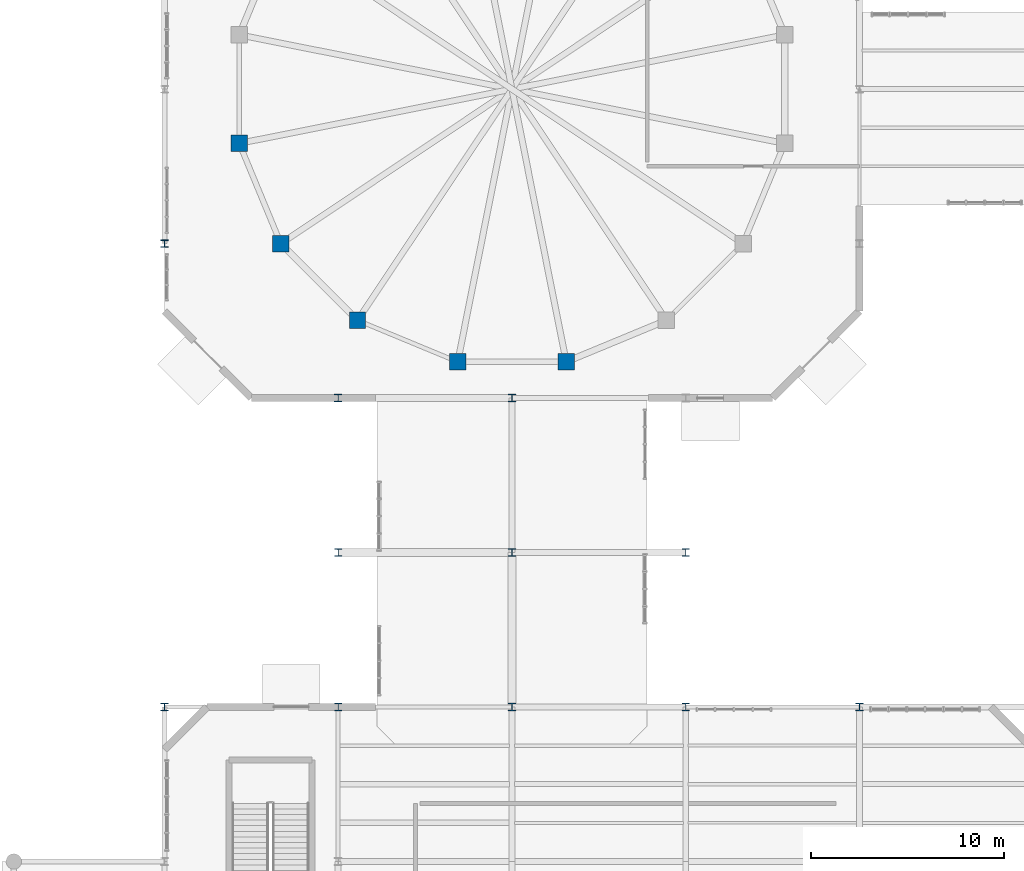
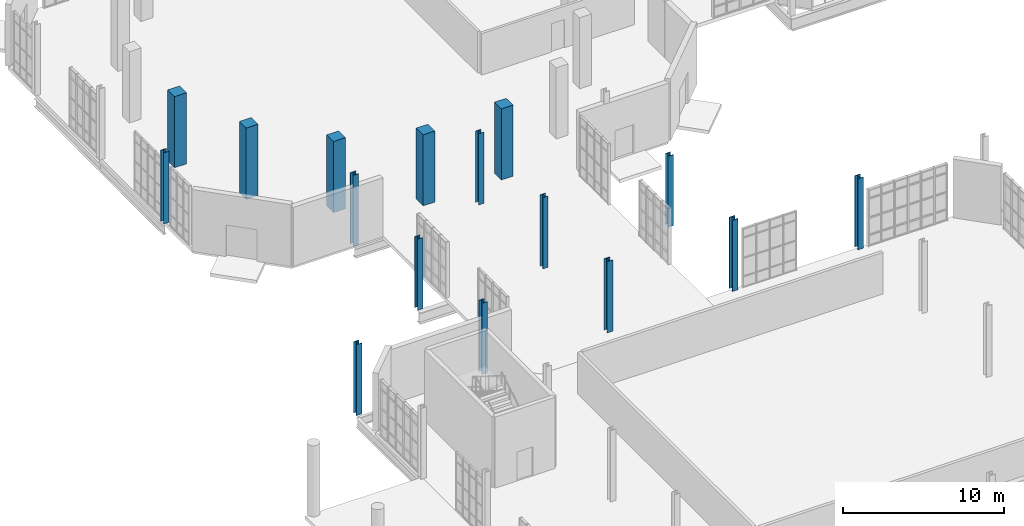
# One storey, part 3 of 189: 16 columns.
"""IFC4 building model written with IfcOpenShell, lengths in metres."""

from ifc_helpers import new_model, si_unit, direction, frame, origin, origin_2d, place, context, subcontext, project, spatial, rectangle, i_section, extrude, material, material_profile, profile_set, type_object, element, save


model = new_model("IFC4")

# Units and contexts
model_context = context("Model", 3, precision=1e-05, world=origin(), true_north=direction((0.0, 1.0)))
body_context = subcontext(model_context, "Body", "Model", "MODEL_VIEW")
ifc_project = project(units=[si_unit("LENGTHUNIT", "METRE"), si_unit("AREAUNIT", "SQUARE_METRE"), si_unit("VOLUMEUNIT", "CUBIC_METRE"), si_unit("PLANEANGLEUNIT", "RADIAN"), si_unit("MASSUNIT", "GRAM", prefix="KILO"), si_unit("THERMODYNAMICTEMPERATUREUNIT", "KELVIN"), si_unit("POWERUNIT", "WATT")], contexts=[model_context])

# Site, building, storey
site_placement = place(None, origin())
site = spatial("IfcSite", under=ifc_project, at=site_placement, CompositionType="ELEMENT")
building_placement = place(site_placement, origin())
building = spatial("IfcBuilding", under=site, at=building_placement, Name="Zelmaris Science Centre", CompositionType="ELEMENT")
storey_placement = place(building_placement, origin())
storey = spatial("IfcBuildingStorey", under=building, at=storey_placement, Name="L00", CompositionType="ELEMENT", Elevation=0.0)

# Columns
ifc_material_1 = material(Name="Steel ASTM A992 Grade 50", Category="steel")
ifc_material_profile_1 = material_profile(ifc_material_1, i_section(OverallWidth=0.406005859375, OverallDepth=0.4169921875, WebThickness=0.02978515625, FlangeThickness=0.04443359375, FilletRadius=0.014892578125, at=origin_2d()), Name="W14X257")
ifc_profile_set_1 = profile_set([ifc_material_profile_1], Name="Steel ASTM A992 Grade 50")
column_type_1 = type_object("IfcColumnType", Name="Column C-02 W14X257", PredefinedType="COLUMN", material=ifc_profile_set_1)
for number, where, z_axis, x_axis, name in (
    (1, (18.0, 40.0, 0.0), (0.0, 0.0, 1.0), (1.0, 0.0, 0.0), "Column V3-P-18-40 L00"),
    (2, (27.0, 40.0, 0.0), (0.0, 0.0, 1.0), (1.0, 0.0, 0.0), "Column V3-P-27-40 L00"),
    (3, (36.0, 40.0, 0.0), (0.0, 0.0, 1.0), (1.0, 0.0, 0.0), "Column V3-P-36-40 L00"),
    (4, (45.0, 40.0, 0.0), (0.0, 0.0, 1.0), (1.0, 0.0, 0.0), "Column V3-P-45-40 L00"),
):
    element("IfcColumn", number, at=place(storey_placement, frame(where, z_axis=z_axis, x_axis=x_axis)), inside=storey, type_object=column_type_1, Name=name, PredefinedType="COLUMN", context=body_context, shape_type="SweptSolid", body=[
        extrude(i_section(OverallWidth=0.406005859375, OverallDepth=0.4169921875, WebThickness=0.02978515625, FlangeThickness=0.04443359375, FilletRadius=0.014892578125, at=origin_2d()), origin(), (0.0, 0.0, 1.0), 5.39990234375),
    ])
ifc_material_profile_2 = material_profile(ifc_material_1, i_section(OverallWidth=0.39892578125, OverallDepth=0.385986328125, WebThickness=0.02099609375, FlangeThickness=0.033203125, FilletRadius=0.014892578125, at=origin_2d()), Name="W14X176")
ifc_profile_set_2 = profile_set([ifc_material_profile_2], Name="Steel ASTM A992 Grade 50")
column_type_2 = type_object("IfcColumnType", Name="Column C-04 W14X176", PredefinedType="COLUMN", material=ifc_profile_set_2)
column_placement = place(storey_placement, frame((9.0, 40.0, 0.0), z_axis=(0.0, 0.0, 1.0), x_axis=(1.0, 0.0, 0.0)))
element("IfcColumn", 5, at=column_placement, inside=storey, type_object=column_type_2, Name="Column V3-P-9-40 L00", PredefinedType="COLUMN", context=body_context, shape_type="SweptSolid", body=[
    extrude(i_section(OverallWidth=0.39892578125, OverallDepth=0.385986328125, WebThickness=0.02099609375, FlangeThickness=0.033203125, FilletRadius=0.014892578125, at=origin_2d()), origin(), (0.0, 0.0, 1.0), 5.39990234375),
])
ifc_material_profile_3 = material_profile(ifc_material_1, i_section(OverallWidth=0.39404296875, OverallDepth=0.3759765625, WebThickness=0.017333984375, FlangeThickness=0.027587890625, FilletRadius=0.014892578125, at=origin_2d()), Name="W14X145")
ifc_profile_set_3 = profile_set([ifc_material_profile_3], Name="Steel ASTM A992 Grade 50")
column_type_3 = type_object("IfcColumnType", Name="Column C-05 W14X145", PredefinedType="COLUMN", material=ifc_profile_set_3)
for number, where, z_axis, x_axis, name in (
    (6, (18.0, 56.0, 0.0), (0.0, 0.0, 1.0), (1.0, 0.0, 0.0), "Column V1-PC01 L00"),
    (7, (27.0, 56.0, 0.0), (0.0, 0.0, 1.0), (1.0, 0.0, 0.0), "Column V1-PC02 L00"),
    (8, (9.0, 64.0, 0.0), (0.0, 0.0, 1.0), (1.0, 0.0, 0.0), "Column V1-PC07 L00"),
):
    element("IfcColumn", number, at=place(storey_placement, frame(where, z_axis=z_axis, x_axis=x_axis)), inside=storey, type_object=column_type_3, Name=name, PredefinedType="COLUMN", context=body_context, shape_type="SweptSolid", body=[
        extrude(i_section(OverallWidth=0.39404296875, OverallDepth=0.3759765625, WebThickness=0.017333984375, FlangeThickness=0.027587890625, FilletRadius=0.014892578125, at=origin_2d()), origin(), (0.0, 0.0, 1.0), 5.39990234375),
    ])
ifc_material_profile_4 = material_profile(ifc_material_1, i_section(OverallWidth=0.373046875, OverallDepth=0.367919921875, WebThickness=0.014892578125, FlangeThickness=0.02392578125, FilletRadius=0.014892578125, at=origin_2d()), Name="W14X120")
ifc_profile_set_4 = profile_set([ifc_material_profile_4], Name="Steel ASTM A992 Grade 50")
column_type_4 = type_object("IfcColumnType", Name="Column C-06 W14X120", PredefinedType="COLUMN", material=ifc_profile_set_4)
for number, where, z_axis, x_axis, name in (
    (9, (18.0, 48.0, 0.0), (0.0, 0.0, 1.0), (1.0, 0.0, 0.0), "Column WL-C-18-48 L00"),
    (10, (27.0, 48.0, 0.0), (0.0, 0.0, 1.0), (1.0, 0.0, 0.0), "Column WL-C-27-48 L00"),
    (11, (36.0, 48.0, 0.0), (0.0, 0.0, 1.0), (1.0, 0.0, 0.0), "Column WL-C-36-48 L00"),
):
    element("IfcColumn", number, at=place(storey_placement, frame(where, z_axis=z_axis, x_axis=x_axis)), inside=storey, type_object=column_type_4, Name=name, PredefinedType="COLUMN", context=body_context, shape_type="SweptSolid", body=[
        extrude(i_section(OverallWidth=0.373046875, OverallDepth=0.367919921875, WebThickness=0.014892578125, FlangeThickness=0.02392578125, FilletRadius=0.014892578125, at=origin_2d()), origin(), (0.0, 0.0, 1.0), 5.39990234375),
    ])
ifc_material_2 = material(Name="Concrete C40/50", Category="concrete")
ifc_material_profile_5 = material_profile(ifc_material_2, rectangle(XDim=0.85009765625, YDim=0.85009765625, at=origin_2d()), Name="RC-COL-850X850")
ifc_profile_set_5 = profile_set([ifc_material_profile_5], Name="Concrete C40/50")
column_type_5 = type_object("IfcColumnType", Name="Column C-14 RC-COL-850X850", PredefinedType="COLUMN", material=ifc_profile_set_5)
for number, where, z_axis, x_axis, name in (
    (12, (12.876708984375, 69.190673828125, 0.0), (0.0, 0.0, 1.0), (1.0, 0.0, 0.0), "Column V1-DC09 L00"),
    (13, (15.02685546875, 63.999755859375, 0.0), (0.0, 0.0, 1.0), (1.0, 0.0, 0.0), "Column V1-DC10 L00"),
    (14, (18.999755859375, 60.02685546875, 0.0), (0.0, 0.0, 1.0), (1.0, 0.0, 0.0), "Column V1-DC11 L00"),
    (15, (24.190673828125, 57.876708984375, 0.0), (0.0, 0.0, 1.0), (1.0, 0.0, 0.0), "Column V1-DC12 L00"),
    (16, (29.809326171875, 57.876708984375, 0.0), (0.0, 0.0, 1.0), (1.0, 0.0, 0.0), "Column V1-DC13 L00"),
):
    element("IfcColumn", number, at=place(storey_placement, frame(where, z_axis=z_axis, x_axis=x_axis)), inside=storey, type_object=column_type_5, Name=name, PredefinedType="COLUMN", context=body_context, shape_type="SweptSolid", body=[
        extrude(rectangle(XDim=0.85009765625, YDim=0.85009765625, at=origin_2d()), origin(), (0.0, 0.0, 1.0), 5.39990234375),
    ])

save(model, "model.ifc")
